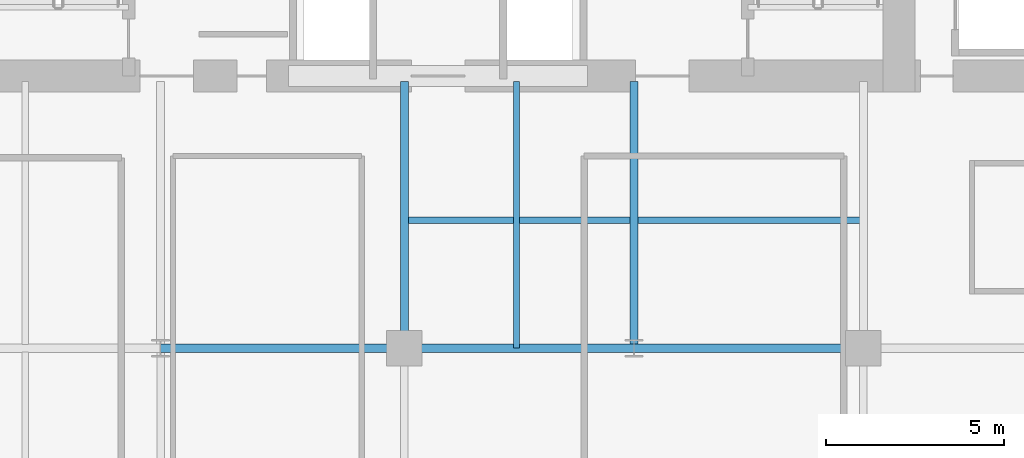
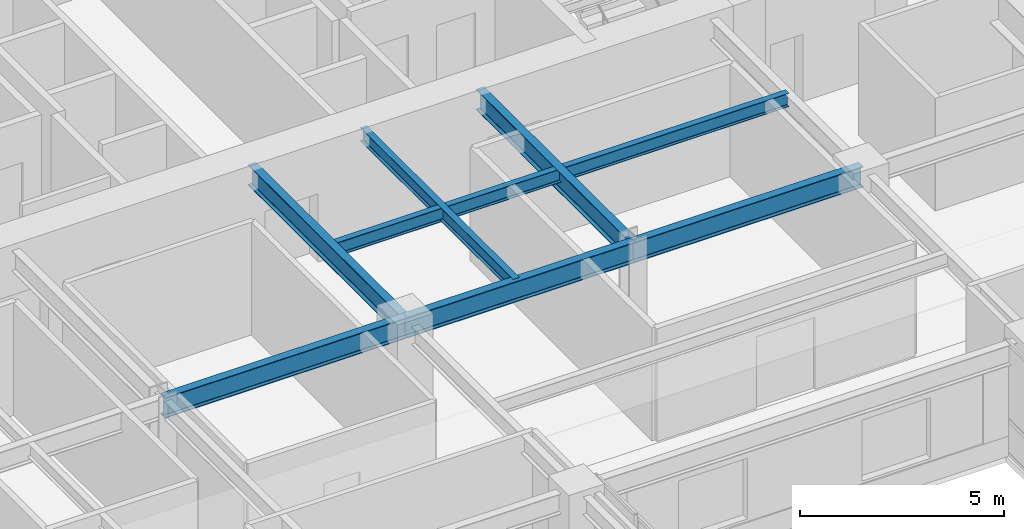
# One storey, part 6 of 24: 7 beams.
"""IFC4 building model written with IfcOpenShell, lengths in metres."""

from ifc_helpers import new_model, si_unit, direction, frame, origin, origin_2d, place, context, subcontext, project, spatial, i_section, extrude, source, transform, mapped, material, material_profile, profile_set, type_object, type_shapes, element, save


model = new_model("IFC4")

# Units and contexts
model_context = context("Model", 3, precision=1e-05, world=origin(), true_north=direction((0.0, 1.0)))
body_context = subcontext(model_context, "Body", "Model", "MODEL_VIEW")
ifc_project = project(units=[si_unit("LENGTHUNIT", "METRE"), si_unit("AREAUNIT", "SQUARE_METRE"), si_unit("VOLUMEUNIT", "CUBIC_METRE"), si_unit("PLANEANGLEUNIT", "RADIAN"), si_unit("MASSUNIT", "GRAM", prefix="KILO")], contexts=[model_context])

# Site, building, storey
site_placement = place(None, origin())
site = spatial("IfcSite", under=ifc_project, at=site_placement, CompositionType="ELEMENT")
building_placement = place(site_placement, origin())
building = spatial("IfcBuilding", under=site, at=building_placement, Name="Tolvann Quenvar Hotel", CompositionType="ELEMENT")
storey_placement = place(building_placement, frame((0.0, 0.0, 67.5)))
storey = spatial("IfcBuildingStorey", under=building, at=storey_placement, Name="L16", CompositionType="ELEMENT", Elevation=67.5)

# Beams
ifc_material = material(Name="Steel Grade 350", Category="steel")
ifc_material_profile_1 = material_profile(ifc_material, i_section(OverallWidth=0.22900390625, OverallDepth=0.612060546875, WebThickness=0.011962890625, FlangeThickness=0.01953125, FilletRadius=0.013916015625, at=origin_2d()), Name="610UB125")
ifc_profile_set_1 = profile_set([ifc_material_profile_1], Name="Steel Grade 350")
beam_type_1 = type_object("IfcBeamType", Name="BM_GIRD_610UB125", PredefinedType="BEAM", material=ifc_profile_set_1)
shared_shape_1 = source(origin(), body_context, "Body", "SweptSolid", [
    extrude(i_section(OverallWidth=0.22900390625, OverallDepth=0.612060546875, WebThickness=0.011962890625, FlangeThickness=0.01953125, FilletRadius=0.013916015625, at=origin_2d()), origin(), (0.0, 0.0, 1.0), 6.85009765625),
])
beam_1_placement = place(storey_placement, frame((15.199951171875, 24.39990234375, 3.06396484375), z_axis=(1.0, 0.0, 0.0), x_axis=(0.0, 1.0, 0.0)))
element("IfcBeam", 1, at=beam_1_placement, inside=storey, type_object=beam_type_1, Name="BM-L16-EW-5-D5-E5", PredefinedType="BEAM", context=body_context, shape_type="MappedRepresentation", body=[
    mapped(shared_shape_1, transform((0.0, 0.0, 0.0), x_axis=(1.0, 0.0, 0.0), y_axis=(0.0, 1.0, 0.0), z_axis=(0.0, 0.0, 1.0), scale=1.0)),
])
shared_shape_2 = source(origin(), body_context, "Body", "SweptSolid", [
    extrude(i_section(OverallWidth=0.22900390625, OverallDepth=0.612060546875, WebThickness=0.011962890625, FlangeThickness=0.01953125, FilletRadius=0.013916015625, at=origin_2d()), origin(), (0.0, 0.0, 1.0), 6.449951171875),
])
for number, where, z_axis, x_axis, name in (
    (2, (22.050048828125, 24.39990234375, 3.06396484375), (1.0, 0.0, 0.0), (0.0, 1.0, 0.0), "BM-L16-EW-5-E5-M5"),
    (3, (28.5, 24.39990234375, 3.06396484375), (1.0, 0.0, 0.0), (0.0, 1.0, 0.0), "BM-L16-EW-5-M5-F5"),
):
    element("IfcBeam", number, at=place(storey_placement, frame(where, z_axis=z_axis, x_axis=x_axis)), inside=storey, type_object=beam_type_1, Name=name, PredefinedType="BEAM", context=body_context, shape_type="MappedRepresentation", body=[
        mapped(shared_shape_2, transform((0.0, 0.0, 0.0), x_axis=(1.0, 0.0, 0.0), y_axis=(0.0, 1.0, 0.0), z_axis=(0.0, 0.0, 1.0), scale=1.0)),
    ])
shared_shape_3 = source(origin(), body_context, "Body", "SweptSolid", [
    extrude(i_section(OverallWidth=0.22900390625, OverallDepth=0.612060546875, WebThickness=0.011962890625, FlangeThickness=0.01953125, FilletRadius=0.013916015625, at=origin_2d()), origin(), (0.0, 0.0, 1.0), 7.5),
])
type_shapes(beam_type_1, [shared_shape_1, shared_shape_2, shared_shape_3])
for number, where, z_axis, x_axis, name in (
    (4, (22.050048828125, 24.39990234375, 3.06396484375), (0.0, 1.0, 0.0), (-1.0, 0.0, 0.0), "BM-L16-CORE-E5"),
    (5, (28.5, 24.39990234375, 3.06396484375), (0.0, 1.0, 0.0), (-1.0, 0.0, 0.0), "BM-L16-CORE-M5"),
):
    element("IfcBeam", number, at=place(storey_placement, frame(where, z_axis=z_axis, x_axis=x_axis)), inside=storey, type_object=beam_type_1, Name=name, PredefinedType="BEAM", context=body_context, shape_type="MappedRepresentation", body=[
        mapped(shared_shape_3, transform((0.0, 0.0, 0.0), x_axis=(1.0, 0.0, 0.0), y_axis=(0.0, 1.0, 0.0), z_axis=(0.0, 0.0, 1.0), scale=1.0)),
    ])
ifc_material_profile_2 = material_profile(ifc_material, i_section(OverallWidth=0.177978515625, OverallDepth=0.406005859375, WebThickness=0.0078125, FlangeThickness=0.0126953125, FilletRadius=0.011474609375, at=origin_2d()), Name="410UB60")
ifc_profile_set_2 = profile_set([ifc_material_profile_2], Name="Steel Grade 350")
beam_type_2 = type_object("IfcBeamType", Name="BM_JOIST_410UB60", PredefinedType="JOIST", material=ifc_profile_set_2)
shared_shape_4 = source(origin(), body_context, "Body", "SweptSolid", [
    extrude(i_section(OverallWidth=0.177978515625, OverallDepth=0.406005859375, WebThickness=0.0078125, FlangeThickness=0.0126953125, FilletRadius=0.011474609375, at=origin_2d()), origin(), (0.0, 0.0, 1.0), 12.89990234375),
])
beam_2_placement = place(storey_placement, frame((22.050048828125, 28.0, 3.1669921875), z_axis=(1.0, 0.0, 0.0), x_axis=(0.0, 1.0, 0.0)))
element("IfcBeam", 6, at=beam_2_placement, inside=storey, type_object=beam_type_2, Name="BM-L16-SPINE-28", PredefinedType="JOIST", context=body_context, shape_type="MappedRepresentation", body=[
    mapped(shared_shape_4, transform((0.0, 0.0, 0.0), x_axis=(1.0, 0.0, 0.0), y_axis=(0.0, 1.0, 0.0), z_axis=(0.0, 0.0, 1.0), scale=1.0)),
])
shared_shape_5 = source(origin(), body_context, "Body", "SweptSolid", [
    extrude(i_section(OverallWidth=0.177978515625, OverallDepth=0.406005859375, WebThickness=0.0078125, FlangeThickness=0.0126953125, FilletRadius=0.011474609375, at=origin_2d()), origin(), (0.0, 0.0, 1.0), 7.5),
])
type_shapes(beam_type_2, [shared_shape_4, shared_shape_5])
beam_3_placement = place(storey_placement, frame((25.199951171875, 24.39990234375, 3.1669921875), z_axis=(0.0, 1.0, 0.0), x_axis=(-1.0, 0.0, 0.0)))
element("IfcBeam", 7, at=beam_3_placement, inside=storey, type_object=beam_type_2, Name="BJ-L16-252-244", PredefinedType="JOIST", context=body_context, shape_type="MappedRepresentation", body=[
    mapped(shared_shape_5, transform((0.0, 0.0, 0.0), x_axis=(1.0, 0.0, 0.0), y_axis=(0.0, 1.0, 0.0), z_axis=(0.0, 0.0, 1.0), scale=1.0)),
])

save(model, "model.ifc")
